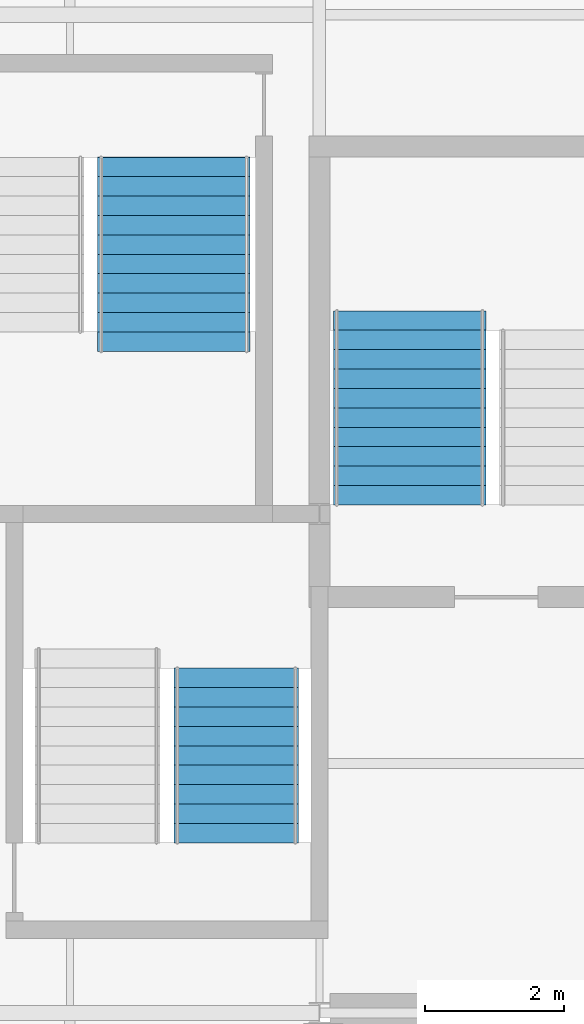
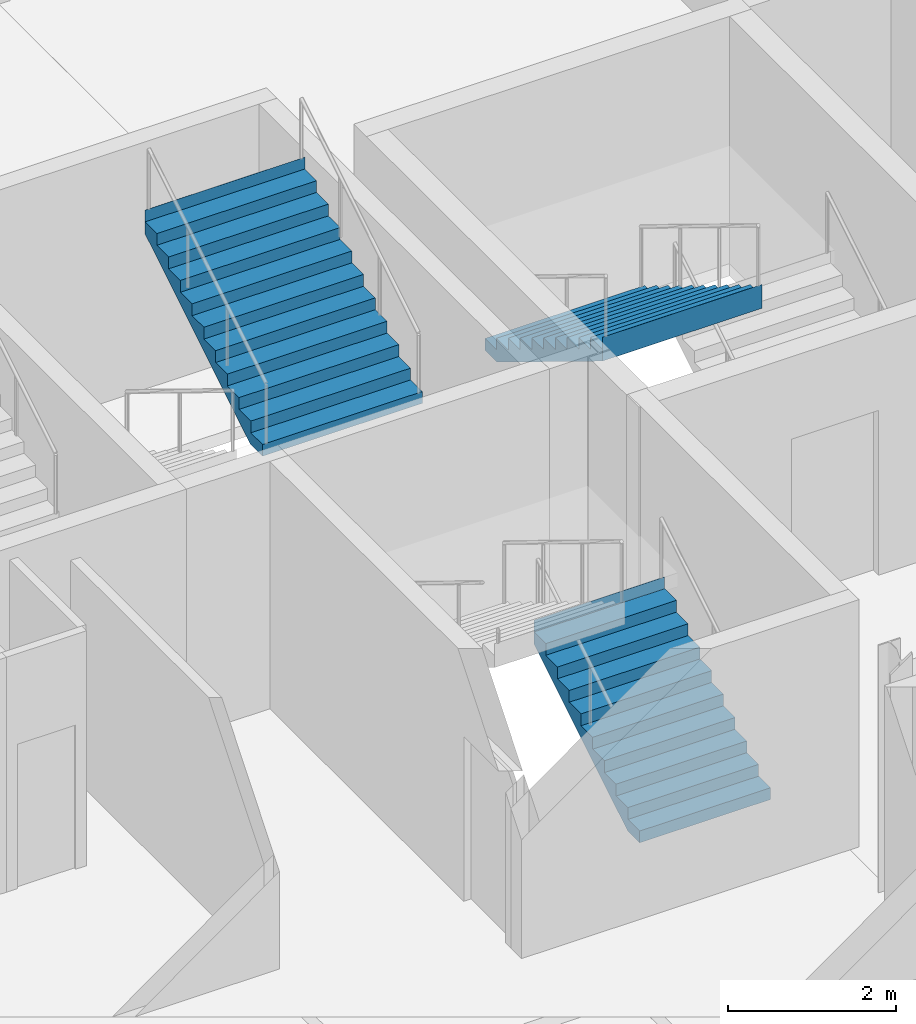
# One storey, part 66 of 90: 3 stair flights, 3 elements without a shape of their own.
"""IFC4 building model written with IfcOpenShell, lengths in metres."""

from ifc_helpers import new_model, si_unit, direction, frame, origin, place, context, subcontext, project, spatial, polyline, outline, extrude, material, type_object, element, aggregate, save


model = new_model("IFC4")

# Units and contexts
model_context = context("Model", 3, precision=1e-05, world=origin(), true_north=direction((0.0, 1.0)))
body_context = subcontext(model_context, "Body", "Model", "MODEL_VIEW")
ifc_project = project(units=[si_unit("LENGTHUNIT", "METRE"), si_unit("AREAUNIT", "SQUARE_METRE"), si_unit("VOLUMEUNIT", "CUBIC_METRE"), si_unit("PLANEANGLEUNIT", "RADIAN"), si_unit("MASSUNIT", "GRAM", prefix="KILO")], contexts=[model_context])

# Site, building, storey
site_placement = place(None, origin())
site = spatial("IfcSite", under=ifc_project, at=site_placement, CompositionType="ELEMENT")
building_placement = place(site_placement, origin())
building = spatial("IfcBuilding", under=site, at=building_placement, Name="Kupolbacken Congress Centre", CompositionType="ELEMENT")
storey_placement = place(building_placement, frame((0.0, 0.0, 3.60009765625)))
storey = spatial("IfcBuildingStorey", under=building, at=storey_placement, Name="L01", CompositionType="ELEMENT", Elevation=3.60009765625)

# Stair, stair flight
ifc_material_1 = material(Name="Concrete C30/37", Category="concrete")
stair_type_1 = type_object("IfcStairType", Name="ST13 stair 2200", PredefinedType="TWO_STRAIGHT_RUN_STAIR", material=ifc_material_1)
stair_1_placement = place(storey_placement, origin())
stair_1 = element("IfcStair", 1, at=stair_1_placement, inside=storey, type_object=stair_type_1, Name="C/stair/PS2SE/L01", PredefinedType="NOTDEFINED")
ifc_material_2 = material(Name="Concrete C30/37", Category="concrete")
stair_flight_type_1 = type_object("IfcStairFlightType", Name="FL14 stair flight 2200 x 11 risers", PredefinedType="STRAIGHT", material=ifc_material_2)
stair_flight_1_placement = place(storey_placement, frame((77.10009765625, 52.7451171875, 1.714111328125), z_axis=(0.0, 0.0, 1.0), x_axis=(0.0, 1.0, 0.0)))
stair_flight_1 = element("IfcStairFlight", 2, at=stair_flight_1_placement, type_object=stair_flight_type_1, Name="PS2SE flight 2", NumberOfRisers=11, NumberOfTreads=10, PredefinedType="STRAIGHT", RiserHeight=0.171428571, TreadLength=0.28, context=body_context, shape_type="SweptSolid", body=[
    extrude(outline(polyline([(0.0, 0.0), (0.0, 0.0009765625), (0.0, 0.002197265625), (0.0, 0.003173828125), (0.0, 0.004150390625), (0.0, 0.00537109375), (0.0, 0.00634765625), (0.0, 0.007568359375), (0.0, 0.008544921875), (0.0, 0.009521484375), (0.0, 0.0107421875), (0.0, 0.01171875), (0.0, 0.0126953125), (0.0, 0.013916015625), (0.0, 0.014892578125), (0.0, 0.015869140625), (0.0, 0.01708984375), (0.0, 0.01806640625), (0.0, 0.019287109375), (0.0, 0.020263671875), (0.0, 0.021240234375), (0.0, 0.0224609375), (0.0, 0.0234375), (0.0, 0.0244140625), (0.0, 0.025634765625), (0.0, 0.026611328125), (0.0, 0.027587890625), (0.0, 0.02880859375), (0.0, 0.02978515625), (0.0, 0.03076171875), (0.0, 0.031982421875), (0.0, 0.032958984375), (0.0, 0.0341796875), (0.0, 0.03515625), (0.0, 0.0361328125), (0.0, 0.037353515625), (0.0, 0.038330078125), (0.0, 0.039306640625), (0.0, 0.04052734375), (0.0, 0.04150390625), (0.0, 0.04248046875), (0.0, 0.043701171875), (0.0, 0.044677734375), (0.0, 0.0458984375), (0.0, 0.046875), (0.0, 0.0478515625), (0.0, 0.049072265625), (0.0, 0.050048828125), (0.0, 0.051025390625), (0.0, 0.05224609375), (0.0, 0.05322265625), (0.0, 0.05419921875), (0.0, 0.055419921875), (0.0, 0.056396484375), (0.0, 0.0576171875), (0.0, 0.05859375), (0.0, 0.0595703125), (0.0, 0.060791015625), (0.0, 0.061767578125), (0.0, 0.062744140625), (0.0, 0.06396484375), (0.0, 0.06494140625), (0.0, 0.06591796875), (0.0, 0.067138671875), (0.0, 0.068115234375), (0.0, 0.069091796875), (0.0, 0.0703125), (0.0, 0.0712890625), (0.0, 0.072509765625), (0.0, 0.073486328125), (0.0, 0.074462890625), (0.0, 0.07568359375), (0.0, 0.07666015625), (0.0, 0.07763671875), (0.0, 0.078857421875), (0.0, 0.079833984375), (0.0, 0.080810546875), (0.0, 0.08203125), (0.0, 0.0830078125), (0.0, 0.084228515625), (0.0, 0.085205078125), (0.0, 0.086181640625), (0.0, 0.08740234375), (0.0, 0.08837890625), (0.0, 0.08935546875), (0.0, 0.090576171875), (0.0, 0.091552734375), (0.0, 0.092529296875), (0.0, 0.09375), (0.0, 0.0947265625), (0.0, 0.095947265625), (0.0, 0.096923828125), (0.0, 0.097900390625), (0.0, 0.09912109375), (0.0, 0.10009765625), (0.0, 0.10107421875), (0.0, 0.102294921875), (0.0, 0.103271484375), (0.0, 0.104248046875), (0.0, 0.10546875), (0.0, 0.1064453125), (0.0, 0.107421875), (0.0, 0.108642578125), (0.0, 0.109619140625), (0.0, 0.11083984375), (0.0, 0.11181640625), (0.0, 0.11279296875), (0.0, 0.114013671875), (0.0, 0.114990234375), (0.0, 0.115966796875), (0.0, 0.1171875), (0.0, 0.1181640625), (0.0, 0.119140625), (0.0, 0.120361328125), (0.0, 0.121337890625), (0.0, 0.12255859375), (0.0, 0.12353515625), (0.0, 0.12451171875), (0.0, 0.125732421875), (0.0, 0.126708984375), (0.0, 0.127685546875), (0.0, 0.12890625), (0.0, 0.1298828125), (0.0, 0.130859375), (0.0, 0.132080078125), (0.0, 0.133056640625), (0.0, 0.13427734375), (0.0, 0.13525390625), (0.0, 0.13623046875), (0.0, 0.137451171875), (0.0, 0.138427734375), (0.0, 0.139404296875), (0.0, 0.140625), (0.0, 0.1416015625), (0.0, 0.142578125), (0.0, 0.143798828125), (0.0, 0.144775390625), (0.0, 0.145751953125), (0.0, 0.14697265625), (0.0, 0.14794921875), (0.0, 0.149169921875), (0.0, 0.150146484375), (0.0, 0.151123046875), (0.0, 0.15234375), (0.0, 0.1533203125), (0.0, 0.154296875), (0.0, 0.155517578125), (0.0, 0.156494140625), (0.0, 0.157470703125), (0.0, 0.15869140625), (0.0, 0.15966796875), (0.0, 0.160888671875), (0.0, 0.161865234375), (0.0, 0.162841796875), (0.0, 0.1640625), (0.0, 0.1650390625), (0.0, 0.166015625), (0.0, 0.167236328125), (0.0, 0.168212890625), (0.0, 0.169189453125), (0.0, 0.17041015625), (0.0, 0.17138671875), (0.280029296875, 0.17138671875), (0.280029296875, 0.3427734375), (0.56005859375, 0.3427734375), (0.56005859375, 0.514404296875), (0.840087890625, 0.514404296875), (0.840087890625, 0.685791015625), (1.1201171875, 0.685791015625), (1.1201171875, 0.857177734375), (1.39990234375, 0.857177734375), (1.39990234375, 1.028564453125), (1.679931640625, 1.028564453125), (1.679931640625, 1.199951171875), (1.9599609375, 1.199951171875), (1.9599609375, 1.371337890625), (2.239990234375, 1.371337890625), (2.239990234375, 1.54296875), (2.52001953125, 1.54296875), (2.52001953125, 1.71435546875), (2.800048828125, 1.71435546875), (2.800048828125, 1.8857421875), (2.802001953125, 1.8857421875), (2.802001953125, 1.883544921875), (2.802001953125, 1.88134765625), (2.802001953125, 1.879150390625), (2.802001953125, 1.877197265625), (2.802001953125, 1.875), (2.802001953125, 1.872802734375), (2.802001953125, 1.87060546875), (2.802001953125, 1.868408203125), (2.802001953125, 1.8662109375), (2.802001953125, 1.8642578125), (2.802001953125, 1.862060546875), (2.802001953125, 1.85986328125), (2.802001953125, 1.857666015625), (2.802001953125, 1.85546875), (2.802001953125, 1.853271484375), (2.802001953125, 1.851318359375), (2.802001953125, 1.84912109375), (2.802001953125, 1.846923828125), (2.802001953125, 1.8447265625), (2.802001953125, 1.842529296875), (2.802001953125, 1.84033203125), (2.802001953125, 1.83837890625), (2.802001953125, 1.836181640625), (2.802001953125, 1.833984375), (2.802001953125, 1.831787109375), (2.802001953125, 1.82958984375), (2.802001953125, 1.827392578125), (2.802001953125, 1.825439453125), (2.802001953125, 1.8232421875), (2.802001953125, 1.821044921875), (2.802001953125, 1.81884765625), (2.802001953125, 1.816650390625), (2.802001953125, 1.814453125), (2.802001953125, 1.8125), (2.802001953125, 1.810302734375), (2.802001953125, 1.80810546875), (2.802001953125, 1.805908203125), (2.802001953125, 1.8037109375), (2.802001953125, 1.801513671875), (2.802001953125, 1.799560546875), (2.802001953125, 1.79736328125), (2.802001953125, 1.795166015625), (2.802001953125, 1.79296875), (2.802001953125, 1.790771484375), (2.802001953125, 1.78857421875), (2.802001953125, 1.78662109375), (2.802001953125, 1.784423828125), (2.802001953125, 1.7822265625), (2.802001953125, 1.780029296875), (2.802001953125, 1.77783203125), (2.802001953125, 1.775634765625), (2.802001953125, 1.773681640625), (2.802001953125, 1.771484375), (2.802001953125, 1.769287109375), (2.802001953125, 1.76708984375), (2.802001953125, 1.764892578125), (2.802001953125, 1.7626953125), (2.802001953125, 1.7607421875), (2.802001953125, 1.758544921875), (2.802001953125, 1.75634765625), (2.802001953125, 1.754150390625), (2.802001953125, 1.751953125), (2.802001953125, 1.749755859375), (2.802001953125, 1.747802734375), (2.802001953125, 1.74560546875), (2.802001953125, 1.743408203125), (2.802001953125, 1.7412109375), (2.802001953125, 1.739013671875), (2.802001953125, 1.73681640625), (2.802001953125, 1.73486328125), (2.802001953125, 1.732666015625), (2.802001953125, 1.73046875), (2.802001953125, 1.728271484375), (2.802001953125, 1.72607421875), (2.802001953125, 1.723876953125), (2.802001953125, 1.721923828125), (2.802001953125, 1.7197265625), (2.802001953125, 1.717529296875), (2.802001953125, 1.71533203125), (2.802001953125, 1.713134765625), (2.802001953125, 1.7109375), (2.802001953125, 1.708984375), (2.802001953125, 1.706787109375), (2.802001953125, 1.70458984375), (2.802001953125, 1.702392578125), (2.802001953125, 1.7001953125), (2.802001953125, 1.697998046875), (2.802001953125, 1.696044921875), (2.802001953125, 1.69384765625), (2.802001953125, 1.691650390625), (2.802001953125, 1.689453125), (2.802001953125, 1.687255859375), (2.802001953125, 1.68505859375), (2.802001953125, 1.68310546875), (2.802001953125, 1.680908203125), (2.802001953125, 1.6787109375), (2.802001953125, 1.676513671875), (2.802001953125, 1.67431640625), (2.802001953125, 1.672119140625), (2.802001953125, 1.670166015625), (2.802001953125, 1.66796875), (2.802001953125, 1.665771484375), (2.802001953125, 1.66357421875), (2.802001953125, 1.661376953125), (2.802001953125, 1.6591796875), (2.802001953125, 1.6572265625), (2.802001953125, 1.655029296875), (2.802001953125, 1.65283203125), (2.802001953125, 1.650634765625), (2.802001953125, 1.6484375), (2.802001953125, 1.646240234375), (2.802001953125, 1.644287109375), (2.802001953125, 1.64208984375), (2.802001953125, 1.639892578125), (2.802001953125, 1.6376953125), (2.802001953125, 1.635498046875), (2.802001953125, 1.63330078125), (2.802001953125, 1.63134765625), (2.802001953125, 1.629150390625), (2.802001953125, 1.626953125), (2.802001953125, 1.624755859375), (2.802001953125, 1.62255859375), (2.802001953125, 1.620361328125), (2.802001953125, 1.618408203125), (2.802001953125, 1.6162109375), (2.802001953125, 1.614013671875), (2.802001953125, 1.61181640625), (2.802001953125, 1.609619140625), (2.802001953125, 1.607421875), (2.802001953125, 1.60546875), (2.802001953125, 1.603271484375), (2.802001953125, 1.60107421875), (2.802001953125, 1.598876953125), (2.802001953125, 1.5966796875), (2.802001953125, 1.594482421875), (2.802001953125, 1.592529296875), (2.802001953125, 1.59033203125), (2.802001953125, 1.588134765625), (2.802001953125, 1.5859375), (2.802001953125, 1.583740234375), (2.802001953125, 1.58154296875), (2.802001953125, 1.57958984375), (2.802001953125, 1.577392578125), (2.802001953125, 1.5751953125), (2.802001953125, 1.572998046875), (2.802001953125, 1.57080078125), (2.802001953125, 1.568603515625), (2.802001953125, 1.566650390625), (2.802001953125, 1.564453125), (2.802001953125, 1.562255859375), (2.802001953125, 1.56005859375), (2.802001953125, 1.557861328125), (2.802001953125, 1.5556640625), (2.802001953125, 1.5537109375), (2.802001953125, 1.551513671875), (2.802001953125, 1.54931640625), (2.802001953125, 1.547119140625), (2.802001953125, 1.544921875), (2.802001953125, 1.542724609375), (2.802001953125, 1.540771484375), (2.802001953125, 1.53857421875), (0.2890625, 0.0), (0.0, 0.0)])), frame((0.0, 1.10009765625, 0.0), z_axis=(0.0, -1.0, 0.0), x_axis=(1.0, 0.0, 0.0)), (0.0, 0.0, 1.0), 2.199951171875),
])
aggregate(stair_1, [stair_flight_1])

stair_2_placement = place(storey_placement, origin())
stair_2 = element("IfcStair", 3, at=stair_2_placement, inside=storey, type_object=stair_type_1, Name="C/stair/LS1/L01", PredefinedType="NOTDEFINED")
stair_flight_2_placement = place(storey_placement, frame((80.5, 53.330078125, 1.714111328125), z_axis=(0.0, 0.0, 1.0), x_axis=(0.0, -1.0, 0.0)))
stair_flight_2 = element("IfcStairFlight", 4, at=stair_flight_2_placement, type_object=stair_flight_type_1, Name="LS1 flight 2", NumberOfRisers=11, NumberOfTreads=10, PredefinedType="STRAIGHT", RiserHeight=0.171428571, TreadLength=0.28, context=body_context, shape_type="SweptSolid", body=[
    extrude(outline(polyline([(0.0, 0.0), (0.0, 0.0009765625), (0.0, 0.002197265625), (0.0, 0.003173828125), (0.0, 0.004150390625), (0.0, 0.00537109375), (0.0, 0.00634765625), (0.0, 0.007568359375), (0.0, 0.008544921875), (0.0, 0.009521484375), (0.0, 0.0107421875), (0.0, 0.01171875), (0.0, 0.0126953125), (0.0, 0.013916015625), (0.0, 0.014892578125), (0.0, 0.015869140625), (0.0, 0.01708984375), (0.0, 0.01806640625), (0.0, 0.019287109375), (0.0, 0.020263671875), (0.0, 0.021240234375), (0.0, 0.0224609375), (0.0, 0.0234375), (0.0, 0.0244140625), (0.0, 0.025634765625), (0.0, 0.026611328125), (0.0, 0.027587890625), (0.0, 0.02880859375), (0.0, 0.02978515625), (0.0, 0.03076171875), (0.0, 0.031982421875), (0.0, 0.032958984375), (0.0, 0.0341796875), (0.0, 0.03515625), (0.0, 0.0361328125), (0.0, 0.037353515625), (0.0, 0.038330078125), (0.0, 0.039306640625), (0.0, 0.04052734375), (0.0, 0.04150390625), (0.0, 0.04248046875), (0.0, 0.043701171875), (0.0, 0.044677734375), (0.0, 0.0458984375), (0.0, 0.046875), (0.0, 0.0478515625), (0.0, 0.049072265625), (0.0, 0.050048828125), (0.0, 0.051025390625), (0.0, 0.05224609375), (0.0, 0.05322265625), (0.0, 0.05419921875), (0.0, 0.055419921875), (0.0, 0.056396484375), (0.0, 0.0576171875), (0.0, 0.05859375), (0.0, 0.0595703125), (0.0, 0.060791015625), (0.0, 0.061767578125), (0.0, 0.062744140625), (0.0, 0.06396484375), (0.0, 0.06494140625), (0.0, 0.06591796875), (0.0, 0.067138671875), (0.0, 0.068115234375), (0.0, 0.069091796875), (0.0, 0.0703125), (0.0, 0.0712890625), (0.0, 0.072509765625), (0.0, 0.073486328125), (0.0, 0.074462890625), (0.0, 0.07568359375), (0.0, 0.07666015625), (0.0, 0.07763671875), (0.0, 0.078857421875), (0.0, 0.079833984375), (0.0, 0.080810546875), (0.0, 0.08203125), (0.0, 0.0830078125), (0.0, 0.084228515625), (0.0, 0.085205078125), (0.0, 0.086181640625), (0.0, 0.08740234375), (0.0, 0.08837890625), (0.0, 0.08935546875), (0.0, 0.090576171875), (0.0, 0.091552734375), (0.0, 0.092529296875), (0.0, 0.09375), (0.0, 0.0947265625), (0.0, 0.095947265625), (0.0, 0.096923828125), (0.0, 0.097900390625), (0.0, 0.09912109375), (0.0, 0.10009765625), (0.0, 0.10107421875), (0.0, 0.102294921875), (0.0, 0.103271484375), (0.0, 0.104248046875), (0.0, 0.10546875), (0.0, 0.1064453125), (0.0, 0.107421875), (0.0, 0.108642578125), (0.0, 0.109619140625), (0.0, 0.11083984375), (0.0, 0.11181640625), (0.0, 0.11279296875), (0.0, 0.114013671875), (0.0, 0.114990234375), (0.0, 0.115966796875), (0.0, 0.1171875), (0.0, 0.1181640625), (0.0, 0.119140625), (0.0, 0.120361328125), (0.0, 0.121337890625), (0.0, 0.12255859375), (0.0, 0.12353515625), (0.0, 0.12451171875), (0.0, 0.125732421875), (0.0, 0.126708984375), (0.0, 0.127685546875), (0.0, 0.12890625), (0.0, 0.1298828125), (0.0, 0.130859375), (0.0, 0.132080078125), (0.0, 0.133056640625), (0.0, 0.13427734375), (0.0, 0.13525390625), (0.0, 0.13623046875), (0.0, 0.137451171875), (0.0, 0.138427734375), (0.0, 0.139404296875), (0.0, 0.140625), (0.0, 0.1416015625), (0.0, 0.142578125), (0.0, 0.143798828125), (0.0, 0.144775390625), (0.0, 0.145751953125), (0.0, 0.14697265625), (0.0, 0.14794921875), (0.0, 0.149169921875), (0.0, 0.150146484375), (0.0, 0.151123046875), (0.0, 0.15234375), (0.0, 0.1533203125), (0.0, 0.154296875), (0.0, 0.155517578125), (0.0, 0.156494140625), (0.0, 0.157470703125), (0.0, 0.15869140625), (0.0, 0.15966796875), (0.0, 0.160888671875), (0.0, 0.161865234375), (0.0, 0.162841796875), (0.0, 0.1640625), (0.0, 0.1650390625), (0.0, 0.166015625), (0.0, 0.167236328125), (0.0, 0.168212890625), (0.0, 0.169189453125), (0.0, 0.17041015625), (0.0, 0.17138671875), (0.280029296875, 0.17138671875), (0.280029296875, 0.3427734375), (0.56005859375, 0.3427734375), (0.56005859375, 0.514404296875), (0.840087890625, 0.514404296875), (0.840087890625, 0.685791015625), (1.1201171875, 0.685791015625), (1.1201171875, 0.857177734375), (1.39990234375, 0.857177734375), (1.39990234375, 1.028564453125), (1.679931640625, 1.028564453125), (1.679931640625, 1.199951171875), (1.9599609375, 1.199951171875), (1.9599609375, 1.371337890625), (2.239990234375, 1.371337890625), (2.239990234375, 1.54296875), (2.52001953125, 1.54296875), (2.52001953125, 1.71435546875), (2.800048828125, 1.71435546875), (2.800048828125, 1.8857421875), (2.802001953125, 1.8857421875), (2.802001953125, 1.883544921875), (2.802001953125, 1.88134765625), (2.802001953125, 1.879150390625), (2.802001953125, 1.877197265625), (2.802001953125, 1.875), (2.802001953125, 1.872802734375), (2.802001953125, 1.87060546875), (2.802001953125, 1.868408203125), (2.802001953125, 1.8662109375), (2.802001953125, 1.8642578125), (2.802001953125, 1.862060546875), (2.802001953125, 1.85986328125), (2.802001953125, 1.857666015625), (2.802001953125, 1.85546875), (2.802001953125, 1.853271484375), (2.802001953125, 1.851318359375), (2.802001953125, 1.84912109375), (2.802001953125, 1.846923828125), (2.802001953125, 1.8447265625), (2.802001953125, 1.842529296875), (2.802001953125, 1.84033203125), (2.802001953125, 1.83837890625), (2.802001953125, 1.836181640625), (2.802001953125, 1.833984375), (2.802001953125, 1.831787109375), (2.802001953125, 1.82958984375), (2.802001953125, 1.827392578125), (2.802001953125, 1.825439453125), (2.802001953125, 1.8232421875), (2.802001953125, 1.821044921875), (2.802001953125, 1.81884765625), (2.802001953125, 1.816650390625), (2.802001953125, 1.814453125), (2.802001953125, 1.8125), (2.802001953125, 1.810302734375), (2.802001953125, 1.80810546875), (2.802001953125, 1.805908203125), (2.802001953125, 1.8037109375), (2.802001953125, 1.801513671875), (2.802001953125, 1.799560546875), (2.802001953125, 1.79736328125), (2.802001953125, 1.795166015625), (2.802001953125, 1.79296875), (2.802001953125, 1.790771484375), (2.802001953125, 1.78857421875), (2.802001953125, 1.78662109375), (2.802001953125, 1.784423828125), (2.802001953125, 1.7822265625), (2.802001953125, 1.780029296875), (2.802001953125, 1.77783203125), (2.802001953125, 1.775634765625), (2.802001953125, 1.773681640625), (2.802001953125, 1.771484375), (2.802001953125, 1.769287109375), (2.802001953125, 1.76708984375), (2.802001953125, 1.764892578125), (2.802001953125, 1.7626953125), (2.802001953125, 1.7607421875), (2.802001953125, 1.758544921875), (2.802001953125, 1.75634765625), (2.802001953125, 1.754150390625), (2.802001953125, 1.751953125), (2.802001953125, 1.749755859375), (2.802001953125, 1.747802734375), (2.802001953125, 1.74560546875), (2.802001953125, 1.743408203125), (2.802001953125, 1.7412109375), (2.802001953125, 1.739013671875), (2.802001953125, 1.73681640625), (2.802001953125, 1.73486328125), (2.802001953125, 1.732666015625), (2.802001953125, 1.73046875), (2.802001953125, 1.728271484375), (2.802001953125, 1.72607421875), (2.802001953125, 1.723876953125), (2.802001953125, 1.721923828125), (2.802001953125, 1.7197265625), (2.802001953125, 1.717529296875), (2.802001953125, 1.71533203125), (2.802001953125, 1.713134765625), (2.802001953125, 1.7109375), (2.802001953125, 1.708984375), (2.802001953125, 1.706787109375), (2.802001953125, 1.70458984375), (2.802001953125, 1.702392578125), (2.802001953125, 1.7001953125), (2.802001953125, 1.697998046875), (2.802001953125, 1.696044921875), (2.802001953125, 1.69384765625), (2.802001953125, 1.691650390625), (2.802001953125, 1.689453125), (2.802001953125, 1.687255859375), (2.802001953125, 1.68505859375), (2.802001953125, 1.68310546875), (2.802001953125, 1.680908203125), (2.802001953125, 1.6787109375), (2.802001953125, 1.676513671875), (2.802001953125, 1.67431640625), (2.802001953125, 1.672119140625), (2.802001953125, 1.670166015625), (2.802001953125, 1.66796875), (2.802001953125, 1.665771484375), (2.802001953125, 1.66357421875), (2.802001953125, 1.661376953125), (2.802001953125, 1.6591796875), (2.802001953125, 1.6572265625), (2.802001953125, 1.655029296875), (2.802001953125, 1.65283203125), (2.802001953125, 1.650634765625), (2.802001953125, 1.6484375), (2.802001953125, 1.646240234375), (2.802001953125, 1.644287109375), (2.802001953125, 1.64208984375), (2.802001953125, 1.639892578125), (2.802001953125, 1.6376953125), (2.802001953125, 1.635498046875), (2.802001953125, 1.63330078125), (2.802001953125, 1.63134765625), (2.802001953125, 1.629150390625), (2.802001953125, 1.626953125), (2.802001953125, 1.624755859375), (2.802001953125, 1.62255859375), (2.802001953125, 1.620361328125), (2.802001953125, 1.618408203125), (2.802001953125, 1.6162109375), (2.802001953125, 1.614013671875), (2.802001953125, 1.61181640625), (2.802001953125, 1.609619140625), (2.802001953125, 1.607421875), (2.802001953125, 1.60546875), (2.802001953125, 1.603271484375), (2.802001953125, 1.60107421875), (2.802001953125, 1.598876953125), (2.802001953125, 1.5966796875), (2.802001953125, 1.594482421875), (2.802001953125, 1.592529296875), (2.802001953125, 1.59033203125), (2.802001953125, 1.588134765625), (2.802001953125, 1.5859375), (2.802001953125, 1.583740234375), (2.802001953125, 1.58154296875), (2.802001953125, 1.57958984375), (2.802001953125, 1.577392578125), (2.802001953125, 1.5751953125), (2.802001953125, 1.572998046875), (2.802001953125, 1.57080078125), (2.802001953125, 1.568603515625), (2.802001953125, 1.566650390625), (2.802001953125, 1.564453125), (2.802001953125, 1.562255859375), (2.802001953125, 1.56005859375), (2.802001953125, 1.557861328125), (2.802001953125, 1.5556640625), (2.802001953125, 1.5537109375), (2.802001953125, 1.551513671875), (2.802001953125, 1.54931640625), (2.802001953125, 1.547119140625), (2.802001953125, 1.544921875), (2.802001953125, 1.542724609375), (2.802001953125, 1.540771484375), (2.802001953125, 1.53857421875), (0.2890625, 0.0), (0.0, 0.0)])), frame((0.0, 1.10009765625, 0.0), z_axis=(0.0, -1.0, 0.0), x_axis=(1.0, 0.0, 0.0)), (0.0, 0.0, 1.0), 2.199951171875),
])
aggregate(stair_2, [stair_flight_2])

ifc_material_3 = material(Name="Steel S355", Category="steel")
stair_type_2 = type_object("IfcStairType", Name="ST3 stair 1800", PredefinedType="TWO_STRAIGHT_RUN_STAIR", material=ifc_material_3)
stair_3_placement = place(storey_placement, origin())
stair_3 = element("IfcStair", 5, at=stair_3_placement, inside=storey, type_object=stair_type_2, Name="C/stair/FS2E/L01", PredefinedType="NOTDEFINED")
ifc_material_4 = material(Name="Steel S355", Category="steel")
stair_flight_type_2 = type_object("IfcStairFlightType", Name="FL5 stair flight 1800 x 10 risers", PredefinedType="STRAIGHT", material=ifc_material_4)
stair_flight_3_placement = place(storey_placement, frame((78.0, 45.655029296875, 0.0), z_axis=(0.0, 0.0, 1.0), x_axis=(0.0, 1.0, 0.0)))
stair_flight_3 = element("IfcStairFlight", 6, at=stair_flight_3_placement, type_object=stair_flight_type_2, Name="FS2E flight 1", NumberOfRisers=10, NumberOfTreads=9, PredefinedType="STRAIGHT", RiserHeight=0.171428571, TreadLength=0.28, context=body_context, shape_type="SweptSolid", body=[
    extrude(outline(polyline([(0.0, 0.0), (0.0, 0.0009765625), (0.0, 0.002197265625), (0.0, 0.003173828125), (0.0, 0.004150390625), (0.0, 0.00537109375), (0.0, 0.00634765625), (0.0, 0.007568359375), (0.0, 0.008544921875), (0.0, 0.009521484375), (0.0, 0.0107421875), (0.0, 0.01171875), (0.0, 0.0126953125), (0.0, 0.013916015625), (0.0, 0.014892578125), (0.0, 0.015869140625), (0.0, 0.01708984375), (0.0, 0.01806640625), (0.0, 0.019287109375), (0.0, 0.020263671875), (0.0, 0.021240234375), (0.0, 0.0224609375), (0.0, 0.0234375), (0.0, 0.0244140625), (0.0, 0.025634765625), (0.0, 0.026611328125), (0.0, 0.027587890625), (0.0, 0.02880859375), (0.0, 0.02978515625), (0.0, 0.03076171875), (0.0, 0.031982421875), (0.0, 0.032958984375), (0.0, 0.0341796875), (0.0, 0.03515625), (0.0, 0.0361328125), (0.0, 0.037353515625), (0.0, 0.038330078125), (0.0, 0.039306640625), (0.0, 0.04052734375), (0.0, 0.04150390625), (0.0, 0.04248046875), (0.0, 0.043701171875), (0.0, 0.044677734375), (0.0, 0.0458984375), (0.0, 0.046875), (0.0, 0.0478515625), (0.0, 0.049072265625), (0.0, 0.050048828125), (0.0, 0.051025390625), (0.0, 0.05224609375), (0.0, 0.05322265625), (0.0, 0.05419921875), (0.0, 0.055419921875), (0.0, 0.056396484375), (0.0, 0.0576171875), (0.0, 0.05859375), (0.0, 0.0595703125), (0.0, 0.060791015625), (0.0, 0.061767578125), (0.0, 0.062744140625), (0.0, 0.06396484375), (0.0, 0.06494140625), (0.0, 0.06591796875), (0.0, 0.067138671875), (0.0, 0.068115234375), (0.0, 0.069091796875), (0.0, 0.0703125), (0.0, 0.0712890625), (0.0, 0.072509765625), (0.0, 0.073486328125), (0.0, 0.074462890625), (0.0, 0.07568359375), (0.0, 0.07666015625), (0.0, 0.07763671875), (0.0, 0.078857421875), (0.0, 0.079833984375), (0.0, 0.080810546875), (0.0, 0.08203125), (0.0, 0.0830078125), (0.0, 0.084228515625), (0.0, 0.085205078125), (0.0, 0.086181640625), (0.0, 0.08740234375), (0.0, 0.08837890625), (0.0, 0.08935546875), (0.0, 0.090576171875), (0.0, 0.091552734375), (0.0, 0.092529296875), (0.0, 0.09375), (0.0, 0.0947265625), (0.0, 0.095947265625), (0.0, 0.096923828125), (0.0, 0.097900390625), (0.0, 0.09912109375), (0.0, 0.10009765625), (0.0, 0.10107421875), (0.0, 0.102294921875), (0.0, 0.103271484375), (0.0, 0.104248046875), (0.0, 0.10546875), (0.0, 0.1064453125), (0.0, 0.107421875), (0.0, 0.108642578125), (0.0, 0.109619140625), (0.0, 0.11083984375), (0.0, 0.11181640625), (0.0, 0.11279296875), (0.0, 0.114013671875), (0.0, 0.114990234375), (0.0, 0.115966796875), (0.0, 0.1171875), (0.0, 0.1181640625), (0.0, 0.119140625), (0.0, 0.120361328125), (0.0, 0.121337890625), (0.0, 0.12255859375), (0.0, 0.12353515625), (0.0, 0.12451171875), (0.0, 0.125732421875), (0.0, 0.126708984375), (0.0, 0.127685546875), (0.0, 0.12890625), (0.0, 0.1298828125), (0.0, 0.130859375), (0.0, 0.132080078125), (0.0, 0.133056640625), (0.0, 0.13427734375), (0.0, 0.13525390625), (0.0, 0.13623046875), (0.0, 0.137451171875), (0.0, 0.138427734375), (0.0, 0.139404296875), (0.0, 0.140625), (0.0, 0.1416015625), (0.0, 0.142578125), (0.0, 0.143798828125), (0.0, 0.144775390625), (0.0, 0.145751953125), (0.0, 0.14697265625), (0.0, 0.14794921875), (0.0, 0.149169921875), (0.0, 0.150146484375), (0.0, 0.151123046875), (0.0, 0.15234375), (0.0, 0.1533203125), (0.0, 0.154296875), (0.0, 0.155517578125), (0.0, 0.156494140625), (0.0, 0.157470703125), (0.0, 0.15869140625), (0.0, 0.15966796875), (0.0, 0.160888671875), (0.0, 0.161865234375), (0.0, 0.162841796875), (0.0, 0.1640625), (0.0, 0.1650390625), (0.0, 0.166015625), (0.0, 0.167236328125), (0.0, 0.168212890625), (0.0, 0.169189453125), (0.0, 0.17041015625), (0.0, 0.17138671875), (0.280029296875, 0.17138671875), (0.280029296875, 0.3427734375), (0.56005859375, 0.3427734375), (0.56005859375, 0.514404296875), (0.840087890625, 0.514404296875), (0.840087890625, 0.685791015625), (1.1201171875, 0.685791015625), (1.1201171875, 0.857177734375), (1.39990234375, 0.857177734375), (1.39990234375, 1.028564453125), (1.679931640625, 1.028564453125), (1.679931640625, 1.199951171875), (1.9599609375, 1.199951171875), (1.9599609375, 1.371337890625), (2.239990234375, 1.371337890625), (2.239990234375, 1.54296875), (2.52001953125, 1.54296875), (2.52001953125, 1.71435546875), (2.52197265625, 1.71435546875), (2.52197265625, 1.712158203125), (2.52197265625, 1.7099609375), (2.52197265625, 1.707763671875), (2.52197265625, 1.70556640625), (2.52197265625, 1.70361328125), (2.52197265625, 1.701416015625), (2.52197265625, 1.69921875), (2.52197265625, 1.697021484375), (2.52197265625, 1.69482421875), (2.52197265625, 1.692626953125), (2.52197265625, 1.690673828125), (2.52197265625, 1.6884765625), (2.52197265625, 1.686279296875), (2.52197265625, 1.68408203125), (2.52197265625, 1.681884765625), (2.52197265625, 1.6796875), (2.52197265625, 1.677734375), (2.52197265625, 1.675537109375), (2.52197265625, 1.67333984375), (2.52197265625, 1.671142578125), (2.52197265625, 1.6689453125), (2.52197265625, 1.666748046875), (2.52197265625, 1.664794921875), (2.52197265625, 1.66259765625), (2.52197265625, 1.660400390625), (2.52197265625, 1.658203125), (2.52197265625, 1.656005859375), (2.52197265625, 1.65380859375), (2.52197265625, 1.65185546875), (2.52197265625, 1.649658203125), (2.52197265625, 1.6474609375), (2.52197265625, 1.645263671875), (2.52197265625, 1.64306640625), (2.52197265625, 1.640869140625), (2.52197265625, 1.638916015625), (2.52197265625, 1.63671875), (2.52197265625, 1.634521484375), (2.52197265625, 1.63232421875), (2.52197265625, 1.630126953125), (2.52197265625, 1.6279296875), (2.52197265625, 1.6259765625), (2.52197265625, 1.623779296875), (2.52197265625, 1.62158203125), (2.52197265625, 1.619384765625), (2.52197265625, 1.6171875), (2.52197265625, 1.614990234375), (2.52197265625, 1.613037109375), (2.52197265625, 1.61083984375), (2.52197265625, 1.608642578125), (2.52197265625, 1.6064453125), (2.52197265625, 1.604248046875), (2.52197265625, 1.60205078125), (2.52197265625, 1.60009765625), (2.52197265625, 1.597900390625), (2.52197265625, 1.595703125), (2.52197265625, 1.593505859375), (2.52197265625, 1.59130859375), (2.52197265625, 1.589111328125), (2.52197265625, 1.587158203125), (2.52197265625, 1.5849609375), (2.52197265625, 1.582763671875), (2.52197265625, 1.58056640625), (2.52197265625, 1.578369140625), (2.52197265625, 1.576171875), (2.52197265625, 1.57421875), (2.52197265625, 1.572021484375), (2.52197265625, 1.56982421875), (2.52197265625, 1.567626953125), (2.52197265625, 1.5654296875), (2.52197265625, 1.563232421875), (2.52197265625, 1.561279296875), (2.52197265625, 1.55908203125), (2.52197265625, 1.556884765625), (2.52197265625, 1.5546875), (2.52197265625, 1.552490234375), (2.52197265625, 1.55029296875), (2.52197265625, 1.54833984375), (2.52197265625, 1.546142578125), (2.52197265625, 1.5439453125), (2.52197265625, 1.541748046875), (2.52197265625, 1.53955078125), (2.52197265625, 1.537353515625), (2.52197265625, 1.535400390625), (2.52197265625, 1.533203125), (2.52197265625, 1.531005859375), (2.52197265625, 1.52880859375), (2.52197265625, 1.526611328125), (2.52197265625, 1.5244140625), (2.52197265625, 1.5224609375), (2.52197265625, 1.520263671875), (2.52197265625, 1.51806640625), (2.52197265625, 1.515869140625), (2.52197265625, 1.513671875), (2.52197265625, 1.511474609375), (2.52197265625, 1.509521484375), (2.52197265625, 1.50732421875), (2.52197265625, 1.505126953125), (2.52197265625, 1.5029296875), (2.52197265625, 1.500732421875), (2.52197265625, 1.49853515625), (2.52197265625, 1.49658203125), (2.52197265625, 1.494384765625), (2.52197265625, 1.4921875), (2.52197265625, 1.489990234375), (2.52197265625, 1.48779296875), (2.52197265625, 1.485595703125), (2.52197265625, 1.483642578125), (2.52197265625, 1.4814453125), (2.52197265625, 1.479248046875), (2.52197265625, 1.47705078125), (2.52197265625, 1.474853515625), (2.52197265625, 1.47265625), (2.52197265625, 1.470703125), (2.52197265625, 1.468505859375), (2.52197265625, 1.46630859375), (2.52197265625, 1.464111328125), (2.52197265625, 1.4619140625), (2.52197265625, 1.459716796875), (2.52197265625, 1.457763671875), (2.52197265625, 1.45556640625), (2.52197265625, 1.453369140625), (2.52197265625, 1.451171875), (2.52197265625, 1.448974609375), (2.52197265625, 1.44677734375), (2.52197265625, 1.44482421875), (2.52197265625, 1.442626953125), (2.52197265625, 1.4404296875), (2.52197265625, 1.438232421875), (2.52197265625, 1.43603515625), (2.52197265625, 1.433837890625), (2.52197265625, 1.431884765625), (2.52197265625, 1.4296875), (2.52197265625, 1.427490234375), (2.52197265625, 1.42529296875), (2.52197265625, 1.423095703125), (2.52197265625, 1.4208984375), (2.52197265625, 1.4189453125), (2.52197265625, 1.416748046875), (2.52197265625, 1.41455078125), (2.52197265625, 1.412353515625), (2.52197265625, 1.41015625), (2.52197265625, 1.407958984375), (2.52197265625, 1.406005859375), (2.52197265625, 1.40380859375), (2.52197265625, 1.401611328125), (2.52197265625, 1.3994140625), (2.52197265625, 1.397216796875), (2.52197265625, 1.39501953125), (2.52197265625, 1.39306640625), (2.52197265625, 1.390869140625), (2.52197265625, 1.388671875), (2.52197265625, 1.386474609375), (2.52197265625, 1.38427734375), (2.52197265625, 1.382080078125), (2.52197265625, 1.380126953125), (2.52197265625, 1.3779296875), (2.52197265625, 1.375732421875), (2.52197265625, 1.37353515625), (2.52197265625, 1.371337890625), (2.52197265625, 1.369140625), (2.52197265625, 1.3671875), (0.2890625, 0.0), (0.0, 0.0)])), frame((0.0, 0.89990234375, 0.0), z_axis=(0.0, -1.0, 0.0), x_axis=(1.0, 0.0, 0.0)), (0.0, 0.0, 1.0), 1.800048828125),
])
aggregate(stair_3, [stair_flight_3])

save(model, "model.ifc")
